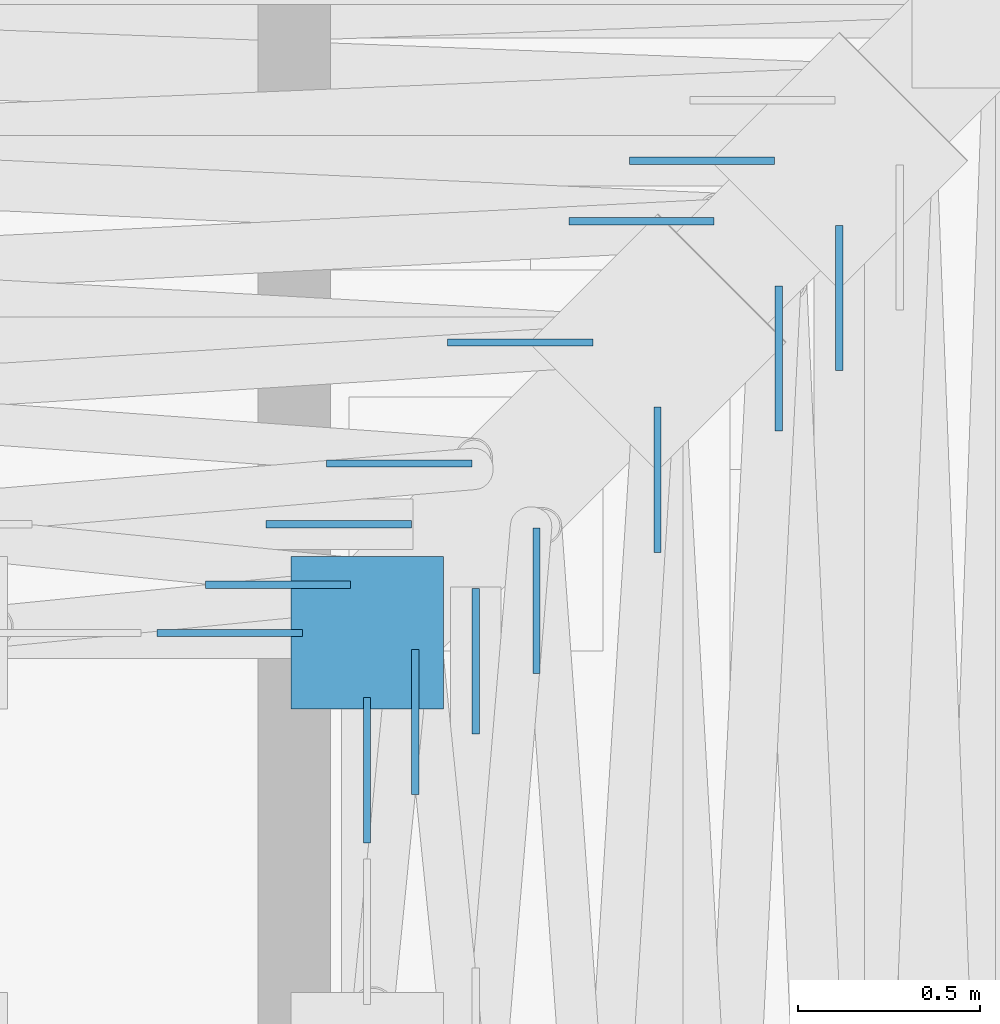
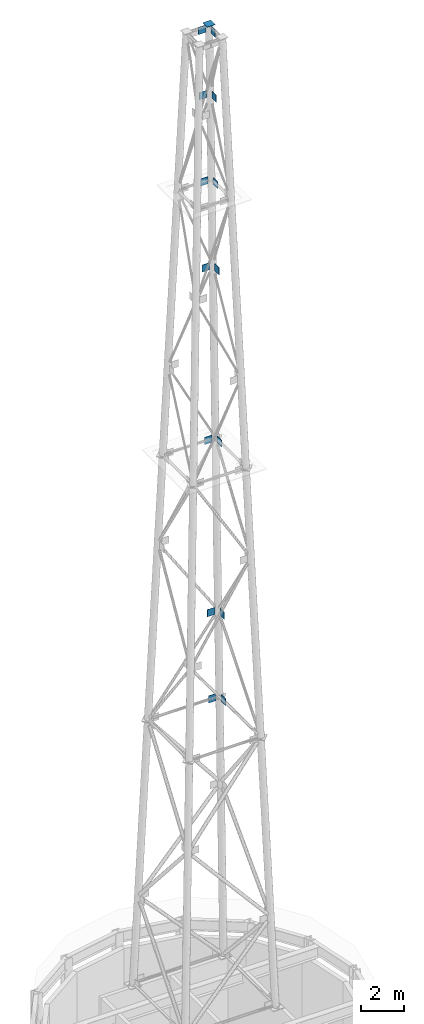
# One storey, part 12 of 15: 15 discrete accessories.
"""IFC4 building model written with IfcOpenShell, lengths in metres."""

from ifc_helpers import new_model, si_unit, direction, frame, origin, origin_2d, place, context, subcontext, project, spatial, rectangle, extrude, material, layer, layer_set, material_profile, profile_set, type_object, element, save


model = new_model("IFC4")

# Units and contexts
model_context = context("Model", 3, precision=1e-05, world=origin(), true_north=direction((0.0, 1.0)))
body_context = subcontext(model_context, "Body", "Model", "MODEL_VIEW")
ifc_project = project(units=[si_unit("LENGTHUNIT", "METRE"), si_unit("AREAUNIT", "SQUARE_METRE"), si_unit("VOLUMEUNIT", "CUBIC_METRE"), si_unit("PLANEANGLEUNIT", "RADIAN"), si_unit("MASSUNIT", "GRAM", prefix="KILO")], contexts=[model_context])

# Site, building, storey
site_placement = place(None, origin())
site = spatial("IfcSite", under=ifc_project, at=site_placement, CompositionType="ELEMENT")
building_placement = place(site_placement, origin())
building = spatial("IfcBuilding", under=site, at=building_placement, Name="Immortelle Media Tower", CompositionType="ELEMENT")
storey_placement = place(building_placement, frame((0.0, 0.0, 308.0)))
storey = spatial("IfcBuildingStorey", under=building, at=storey_placement, Name="Roof", CompositionType="ELEMENT", Elevation=308.0)

# Discrete accessories
ifc_material_1 = material(Name="Structural steel S355J2 plate", Category="steel")
ifc_layer = layer(ifc_material_1, 0.02001953125)
ifc_layer_set = layer_set([ifc_layer], Name="Structural steel S355J2 plate")
discrete_accessory_type_1 = type_object("IfcDiscreteAccessoryType", Name="MAST leg end plate 420 x 420 x 20", PredefinedType="USERDEFINED", material=ifc_layer_set)
discrete_accessory_1_placement = place(storey_placement, frame((12.60009765625, 12.60009765625, 66.97998046875), z_axis=(0.0, 0.0, 1.0), x_axis=(1.0, 0.0, 0.0)))
element("IfcDiscreteAccessory", 1, at=discrete_accessory_1_placement, inside=storey, type_object=discrete_accessory_type_1, Name="MAST leg end plate C", ObjectType="END PLATE", PredefinedType="USERDEFINED", context=body_context, shape_type="SweptSolid", body=[
    extrude(rectangle(XDim=0.419921875, YDim=0.419921875, at=origin_2d()), origin(), (0.0, 0.0, 1.0), 0.02001953125),
])
ifc_material_2 = material(Name="Steel ASTM A572 Gr 50", Category="steel")
ifc_material_profile = material_profile(ifc_material_2, rectangle(XDim=0.02001953125, YDim=0.39990234375, at=origin_2d()), Name="PL 20 x 400")
ifc_profile_set = profile_set([ifc_material_profile], Name="Steel ASTM A572 Gr 50")
discrete_accessory_type_2 = type_object("IfcDiscreteAccessoryType", Name="Node plate GP4 400 x 400 x 20", PredefinedType="USERDEFINED", material=ifc_profile_set)
discrete_accessory_2_placement = place(storey_placement, frame((13.89990234375, 13.72216796875, 27.989990234375), z_axis=(0.0, -1.0, 0.0), x_axis=(1.0, 0.0, 0.0)))
element("IfcDiscreteAccessory", 2, at=discrete_accessory_2_placement, inside=storey, type_object=discrete_accessory_type_2, Name="Node plate GP4, leg C, face 2, node 4", ObjectType="NODE PLATE", PredefinedType="USERDEFINED", context=body_context, shape_type="SweptSolid", body=[
    extrude(rectangle(XDim=0.02001953125, YDim=0.39990234375, at=origin_2d()), origin(), (0.0, 0.0, 1.0), 0.400146484375),
])
for number, where, z_axis, x_axis, name in (
    (3, (13.733154296875, 13.555419921875, 32.989990234375), (0.0, -1.0, 0.0), (1.0, 0.0, 0.0), "Node plate GP4, leg C, face 2, node 5"),
    (4, (13.39990234375, 13.221923828125, 42.989990234375), (0.0, -1.0, 0.0), (1.0, 0.0, 0.0), "Node plate GP4, leg C, face 2, node 7"),
):
    element("IfcDiscreteAccessory", number, at=place(storey_placement, frame(where, z_axis=z_axis, x_axis=x_axis)), inside=storey, type_object=discrete_accessory_type_2, Name=name, ObjectType="NODE PLATE", PredefinedType="USERDEFINED", context=body_context, shape_type="SweptSolid", body=[
        extrude(rectangle(XDim=0.02001953125, YDim=0.39990234375, at=origin_2d()), origin(), (0.0, 0.0, 1.0), 0.39990234375),
    ])
discrete_accessory_3_placement = place(storey_placement, frame((13.06640625, 12.888671875, 52.989990234375), z_axis=(0.0, -1.0, 0.0), x_axis=(1.0, 0.0, 0.0)))
element("IfcDiscreteAccessory", 5, at=discrete_accessory_3_placement, inside=storey, type_object=discrete_accessory_type_2, Name="Node plate GP4, leg C, face 2, node 9", ObjectType="NODE PLATE", PredefinedType="USERDEFINED", context=body_context, shape_type="SweptSolid", body=[
    extrude(rectangle(XDim=0.02001953125, YDim=0.39990234375, at=origin_2d()), origin(), (0.0, 0.0, 1.0), 0.400146484375),
])
for number, where, z_axis, x_axis, name in (
    (6, (12.899658203125, 12.721923828125, 57.989990234375), (0.0, -1.0, 0.0), (1.0, 0.0, 0.0), "Node plate GP4, leg C, face 2, node 10"),
    (7, (12.73291015625, 12.55517578125, 62.989990234375), (0.0, -1.0, 0.0), (1.0, 0.0, 0.0), "Node plate GP4, leg C, face 2, node 11"),
    (8, (12.60009765625, 12.422119140625, 66.780029296875), (0.0, -1.0, 0.0), (1.0, 0.0, 0.0), "Node plate GP4, leg C, face 2, node 12"),
):
    element("IfcDiscreteAccessory", number, at=place(storey_placement, frame(where, z_axis=z_axis, x_axis=x_axis)), inside=storey, type_object=discrete_accessory_type_2, Name=name, ObjectType="NODE PLATE", PredefinedType="USERDEFINED", context=body_context, shape_type="SweptSolid", body=[
        extrude(rectangle(XDim=0.02001953125, YDim=0.39990234375, at=origin_2d()), origin(), (0.0, 0.0, 1.0), 0.39990234375),
    ])
discrete_accessory_4_placement = place(storey_placement, frame((13.72216796875, 13.89990234375, 27.989990234375), z_axis=(-1.0, 0.0, 0.0), x_axis=(0.0, -1.0, 0.0)))
element("IfcDiscreteAccessory", 9, at=discrete_accessory_4_placement, inside=storey, type_object=discrete_accessory_type_2, Name="Node plate GP4, leg C, face 3, node 4", ObjectType="NODE PLATE", PredefinedType="USERDEFINED", context=body_context, shape_type="SweptSolid", body=[
    extrude(rectangle(XDim=0.02001953125, YDim=0.39990234375, at=origin_2d()), origin(), (0.0, 0.0, 1.0), 0.400146484375),
])
for number, where, z_axis, x_axis, name in (
    (10, (13.555419921875, 13.733154296875, 32.989990234375), (-1.0, 0.0, 0.0), (0.0, -1.0, 0.0), "Node plate GP4, leg C, face 3, node 5"),
    (11, (13.221923828125, 13.39990234375, 42.989990234375), (-1.0, 0.0, 0.0), (0.0, -1.0, 0.0), "Node plate GP4, leg C, face 3, node 7"),
):
    element("IfcDiscreteAccessory", number, at=place(storey_placement, frame(where, z_axis=z_axis, x_axis=x_axis)), inside=storey, type_object=discrete_accessory_type_2, Name=name, ObjectType="NODE PLATE", PredefinedType="USERDEFINED", context=body_context, shape_type="SweptSolid", body=[
        extrude(rectangle(XDim=0.02001953125, YDim=0.39990234375, at=origin_2d()), origin(), (0.0, 0.0, 1.0), 0.39990234375),
    ])
discrete_accessory_5_placement = place(storey_placement, frame((12.888671875, 13.06640625, 52.989990234375), z_axis=(-1.0, 0.0, 0.0), x_axis=(0.0, -1.0, 0.0)))
element("IfcDiscreteAccessory", 12, at=discrete_accessory_5_placement, inside=storey, type_object=discrete_accessory_type_2, Name="Node plate GP4, leg C, face 3, node 9", ObjectType="NODE PLATE", PredefinedType="USERDEFINED", context=body_context, shape_type="SweptSolid", body=[
    extrude(rectangle(XDim=0.02001953125, YDim=0.39990234375, at=origin_2d()), origin(), (0.0, 0.0, 1.0), 0.400146484375),
])
for number, where, z_axis, x_axis, name in (
    (13, (12.721923828125, 12.899658203125, 57.989990234375), (-1.0, 0.0, 0.0), (0.0, -1.0, 0.0), "Node plate GP4, leg C, face 3, node 10"),
    (14, (12.55517578125, 12.73291015625, 62.989990234375), (-1.0, 0.0, 0.0), (0.0, -1.0, 0.0), "Node plate GP4, leg C, face 3, node 11"),
    (15, (12.422119140625, 12.60009765625, 66.780029296875), (-1.0, 0.0, 0.0), (0.0, -1.0, 0.0), "Node plate GP4, leg C, face 3, node 12"),
):
    element("IfcDiscreteAccessory", number, at=place(storey_placement, frame(where, z_axis=z_axis, x_axis=x_axis)), inside=storey, type_object=discrete_accessory_type_2, Name=name, ObjectType="NODE PLATE", PredefinedType="USERDEFINED", context=body_context, shape_type="SweptSolid", body=[
        extrude(rectangle(XDim=0.02001953125, YDim=0.39990234375, at=origin_2d()), origin(), (0.0, 0.0, 1.0), 0.39990234375),
    ])

save(model, "model.ifc")
